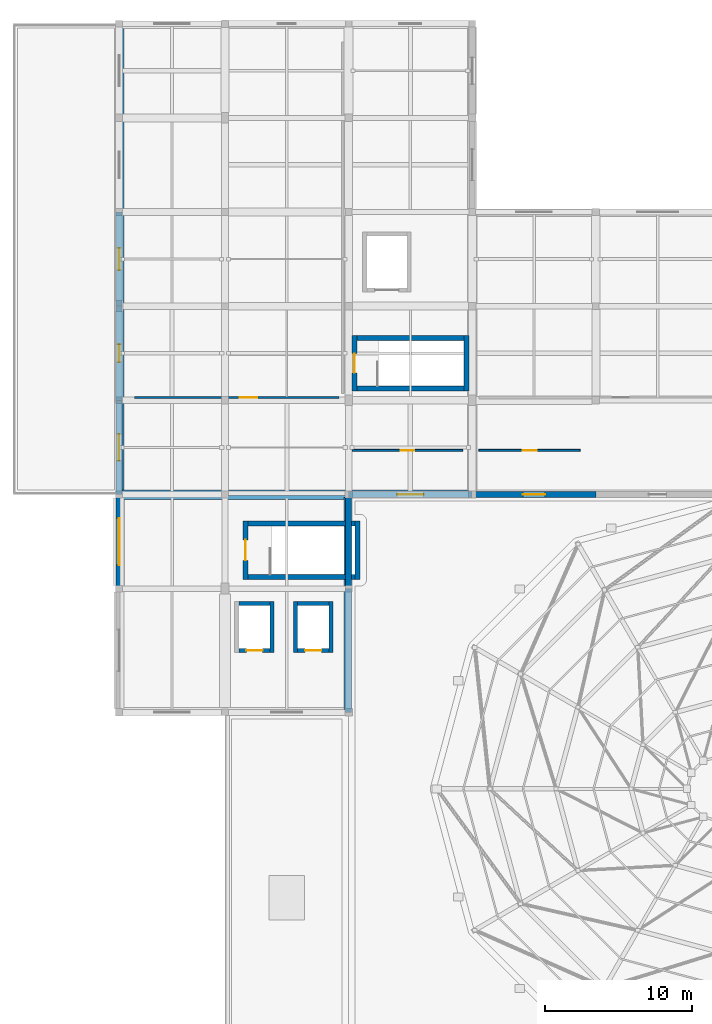
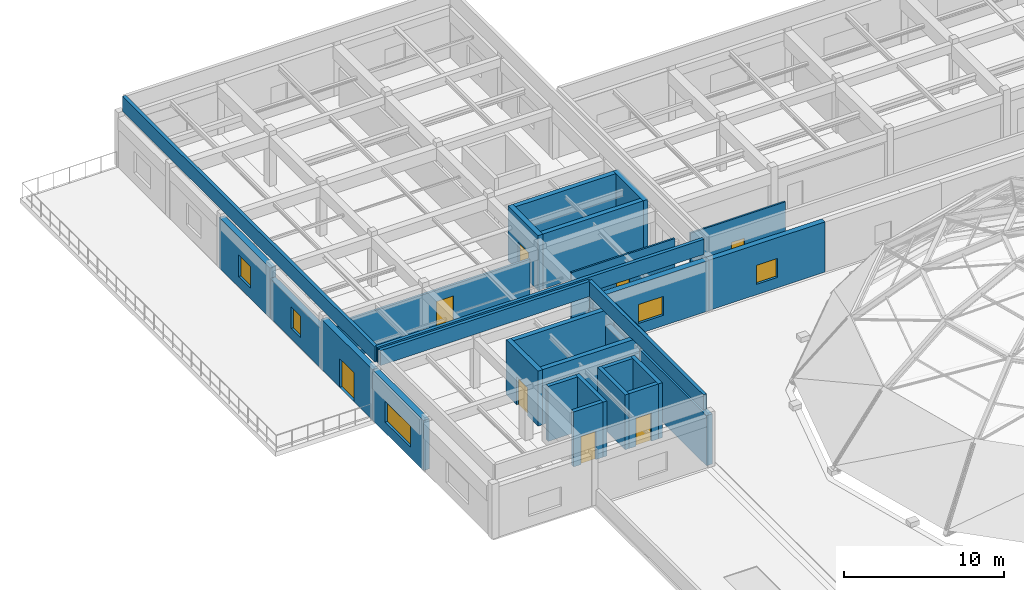
# One storey, part 11 of 18: 30 walls, 8 doors, 5 windows, 13 openings.
"""IFC4 building model written with IfcOpenShell, lengths in metres."""

from ifc_helpers import new_model, si_unit, direction, frame, frame_2d, origin, place, context, subcontext, project, spatial, rectangle, extrude, material, layer, layer_set, type_object, element, fill, save


model = new_model("IFC4")

# Units and contexts
model_context = context("Model", 3, precision=1e-05, world=origin(), true_north=direction((0.0, 1.0)))
body_context = subcontext(model_context, "Body", "Model", "MODEL_VIEW")
ifc_project = project(units=[si_unit("LENGTHUNIT", "METRE"), si_unit("AREAUNIT", "SQUARE_METRE"), si_unit("VOLUMEUNIT", "CUBIC_METRE"), si_unit("PLANEANGLEUNIT", "RADIAN"), si_unit("MASSUNIT", "GRAM", prefix="KILO")], contexts=[model_context])

# Site, building, storey
site_placement = place(None, origin())
site = spatial("IfcSite", under=ifc_project, at=site_placement, CompositionType="ELEMENT")
building_placement = place(site_placement, origin())
building = spatial("IfcBuilding", under=site, at=building_placement, Name="Korsvaeld Concert Hall", CompositionType="ELEMENT")
storey_placement = place(building_placement, frame((0.0, 0.0, 17.39990234375)))
storey = spatial("IfcBuildingStorey", under=building, at=storey_placement, Name="L04", CompositionType="ELEMENT", Elevation=17.39990234375)

# Walls
ifc_material_1 = material(Name="Concrete C40/50", Category="concrete")
ifc_layer_1 = layer(ifc_material_1, 0.340087890625)
ifc_layer_set_1 = layer_set([ifc_layer_1], Name="Concrete C40/50")
wall_type_1 = type_object("IfcWallType", Name="WL-CORE-340", PredefinedType="SHEAR", material=ifc_layer_set_1)
wall_1_placement = place(storey_placement, frame((51.969970703125, 77.60009765625, 0.0), z_axis=(0.0, 0.0, 1.0), x_axis=(1.0, 0.0, 0.0)))
element("IfcWall", 1, at=wall_1_placement, inside=storey, type_object=wall_type_1, Name="Core K1 shear wall L04 S", PredefinedType="SHEAR", context=body_context, shape_type="SweptSolid", body=[
    extrude(rectangle(XDim=7.260009765625, YDim=0.340087890625, at=frame_2d((3.6298828125, 0.0))), origin(), (0.0, 0.0, 1.0), 4.2001953125),
])
wall_2_placement = place(storey_placement, frame((59.39990234375, 77.429931640625, 0.0), z_axis=(0.0, 0.0, 1.0), x_axis=(0.0, 1.0, 0.0)))
element("IfcWall", 2, at=wall_2_placement, inside=storey, type_object=wall_type_1, Name="Core K1 shear wall L04 E", PredefinedType="SHEAR", context=body_context, shape_type="SweptSolid", body=[
    extrude(rectangle(XDim=3.97998046875, YDim=0.340087890625, at=frame_2d((1.989990234375, 0.0))), origin(), (0.0, 0.0, 1.0), 4.2001953125),
])
wall_3_placement = place(storey_placement, frame((59.22998046875, 81.239990234375, 0.0), z_axis=(0.0, 0.0, 1.0), x_axis=(-1.0, 0.0, 0.0)))
element("IfcWall", 3, at=wall_3_placement, inside=storey, type_object=wall_type_1, Name="Core K1 shear wall L04 N", PredefinedType="SHEAR", context=body_context, shape_type="SweptSolid", body=[
    extrude(rectangle(XDim=7.260009765625, YDim=0.340087890625, at=frame_2d((3.6298828125, 0.0))), origin(), (0.0, 0.0, 1.0), 4.2001953125),
])

# Wall, opening, door
wall_4_placement = place(storey_placement, frame((51.800048828125, 81.409912109375, 0.0), z_axis=(0.0, 0.0, 1.0), x_axis=(0.0, -1.0, 0.0)))
wall_4 = element("IfcWall", 4, at=wall_4_placement, inside=storey, type_object=wall_type_1, Name="Core K1 shear wall L04 W", PredefinedType="SHEAR", context=body_context, shape_type="SweptSolid", body=[
    extrude(rectangle(XDim=3.97998046875, YDim=0.340087890625, at=frame_2d((1.989990234375, 0.0))), origin(), (0.0, 0.0, 1.0), 4.2001953125),
])
opening_1_placement = place(wall_4_placement, frame((1.2900390625, 0.0, 0.0)))
opening_1 = element("IfcOpeningElement", 5, at=opening_1_placement, cuts=wall_4, Name="Opening FD-02", PredefinedType="OPENING", context=body_context, shape_type="SweptSolid", body=[
    extrude(rectangle(XDim=1.39990234375, YDim=2.14990234375, at=frame_2d((0.699951171875, 1.074951171875))), frame((0.0, 0.18017578125, 0.0), z_axis=(0.0, -1.0, 0.0), x_axis=(1.0, 0.0, 0.0)), (0.0, 0.0, 1.0), 0.360107421875),
])
ifc_material_2 = material(Name="Acoustic steel and oak fire door", Category="steel")
door_type_1 = type_object("IfcDoorType", Name="DR-FD-STAIR-140x215", OperationType="NOTDEFINED", PredefinedType="DOOR", material=ifc_material_2)
door_1_placement = place(opening_1_placement, origin())
door_1 = element("IfcDoor", 6, at=door_1_placement, inside=storey, type_object=door_type_1, Name="Escape stair ST-K1 fire door L04", OperationType="SINGLE_SWING_RIGHT", OverallHeight=2.14990234375, OverallWidth=1.39990234375, PredefinedType="DOOR", context=body_context, shape_type="SweptSolid", body=[
    extrude(rectangle(XDim=1.39990234375, YDim=2.14990234375, at=frame_2d((0.699951171875, 1.074951171875))), frame((0.0, 0.02490234375, 0.0), z_axis=(0.0, -1.0, 0.0), x_axis=(1.0, 0.0, 0.0)), (0.0, 0.0, 1.0), 0.050048828125),
])
fill(opening_1, door_1)

# Walls
wall_5_placement = place(storey_placement, frame((59.3701171875, 90.39990234375, 0.0), z_axis=(0.0, 0.0, 1.0), x_axis=(1.0, 0.0, 0.0)))
element("IfcWall", 7, at=wall_5_placement, inside=storey, type_object=wall_type_1, Name="Core K5 shear wall L04 S", PredefinedType="SHEAR", context=body_context, shape_type="SweptSolid", body=[
    extrude(rectangle(XDim=7.259765625, YDim=0.340087890625, at=frame_2d((3.6298828125, 0.0))), origin(), (0.0, 0.0, 1.0), 4.2001953125),
])
wall_6_placement = place(storey_placement, frame((66.800048828125, 90.22998046875, 0.0), z_axis=(0.0, 0.0, 1.0), x_axis=(0.0, 1.0, 0.0)))
element("IfcWall", 8, at=wall_6_placement, inside=storey, type_object=wall_type_1, Name="Core K5 shear wall L04 E", PredefinedType="SHEAR", context=body_context, shape_type="SweptSolid", body=[
    extrude(rectangle(XDim=3.780029296875, YDim=0.340087890625, at=frame_2d((1.89013671875, 0.0))), origin(), (0.0, 0.0, 1.0), 4.2001953125),
])
wall_7_placement = place(storey_placement, frame((66.6298828125, 93.840087890625, 0.0), z_axis=(0.0, 0.0, 1.0), x_axis=(-1.0, 0.0, 0.0)))
element("IfcWall", 9, at=wall_7_placement, inside=storey, type_object=wall_type_1, Name="Core K5 shear wall L04 N", PredefinedType="SHEAR", context=body_context, shape_type="SweptSolid", body=[
    extrude(rectangle(XDim=7.259765625, YDim=0.340087890625, at=frame_2d((3.6298828125, 0.0))), origin(), (0.0, 0.0, 1.0), 4.2001953125),
])

# Wall, opening, door
wall_8_placement = place(storey_placement, frame((59.199951171875, 94.010009765625, 0.0), z_axis=(0.0, 0.0, 1.0), x_axis=(0.0, -1.0, 0.0)))
wall_8 = element("IfcWall", 10, at=wall_8_placement, inside=storey, type_object=wall_type_1, Name="Core K5 shear wall L04 W", PredefinedType="SHEAR", context=body_context, shape_type="SweptSolid", body=[
    extrude(rectangle(XDim=3.780029296875, YDim=0.340087890625, at=frame_2d((1.89013671875, 0.0))), origin(), (0.0, 0.0, 1.0), 4.2001953125),
])
opening_2_placement = place(wall_8_placement, frame((1.239990234375, 0.0, 0.0)))
opening_2 = element("IfcOpeningElement", 11, at=opening_2_placement, cuts=wall_8, Name="Opening FD-01", PredefinedType="OPENING", context=body_context, shape_type="SweptSolid", body=[
    extrude(rectangle(XDim=1.300048828125, YDim=2.14990234375, at=frame_2d((0.64990234375, 1.074951171875))), frame((0.0, 0.18017578125, 0.0), z_axis=(0.0, -1.0, 0.0), x_axis=(1.0, 0.0, 0.0)), (0.0, 0.0, 1.0), 0.360107421875),
])
door_type_2 = type_object("IfcDoorType", Name="DR-FD-STAIR-130x215", OperationType="NOTDEFINED", PredefinedType="DOOR", material=ifc_material_2)
door_2_placement = place(opening_2_placement, origin())
door_2 = element("IfcDoor", 12, at=door_2_placement, inside=storey, type_object=door_type_2, Name="Escape stair ST-K5 fire door L04", OperationType="SINGLE_SWING_RIGHT", OverallHeight=2.14990234375, OverallWidth=1.300048828125, PredefinedType="DOOR", context=body_context, shape_type="SweptSolid", body=[
    extrude(rectangle(XDim=1.300048828125, YDim=2.14990234375, at=frame_2d((0.64990234375, 1.074951171875))), frame((0.0, 0.02490234375, 0.0), z_axis=(0.0, -1.0, 0.0), x_axis=(1.0, 0.0, 0.0)), (0.0, 0.0, 1.0), 0.050048828125),
])
fill(opening_2, door_2)

# Wall, opening, window
ifc_material_3 = material(Name="Obernkirchener buff sandstone rainscreen on Concrete C35/45", Category="masonry")
ifc_layer_2 = layer(ifc_material_3, 0.389892578125)
ifc_layer_set_2 = layer_set([ifc_layer_2], Name="Obernkirchener buff sandstone rainscreen on Concrete C35/45")
wall_type_2 = type_object("IfcWallType", Name="WL-EXT-BUFF-390", PredefinedType="STANDARD", material=ifc_layer_set_2)
wall_9_placement = place(storey_placement, frame((43.199951171875, 89.60009765625, 0.0), z_axis=(0.0, 0.0, 1.0), x_axis=(0.0, 1.0, 0.0)))
wall_9 = element("IfcWall", 13, at=wall_9_placement, inside=storey, type_object=wall_type_2, Name="Exterior sandstone wall L04-334", PredefinedType="STANDARD", context=body_context, shape_type="SweptSolid", body=[
    extrude(rectangle(XDim=6.39990234375, YDim=0.389892578125, at=frame_2d((3.199951171875, 0.0))), origin(), (0.0, 0.0, 1.0), 3.0400390625),
])
opening_3_placement = place(wall_9_placement, frame((2.60009765625, 0.0, 0.800048828125)))
opening_3 = element("IfcOpeningElement", 14, at=opening_3_placement, cuts=wall_9, Name="Opening WN-01", PredefinedType="OPENING", context=body_context, shape_type="SweptSolid", body=[
    extrude(rectangle(XDim=1.199951171875, YDim=1.64990234375, at=frame_2d((0.60009765625, 0.824951171875))), frame((0.0, 0.205078125, 0.0), z_axis=(0.0, -1.0, 0.0), x_axis=(1.0, 0.0, 0.0)), (0.0, 0.0, 1.0), 0.409912109375),
])
ifc_material_4 = material(Name="Anodised bronze frame with acoustic triple glazing", Category="glass")
window_type_1 = type_object("IfcWindowType", Name="WIN-AC-120x165", PartitioningType="SINGLE_PANEL", PredefinedType="WINDOW", material=ifc_material_4)
window_1_placement = place(opening_3_placement, origin())
window_1 = element("IfcWindow", 15, at=window_1_placement, inside=storey, type_object=window_type_1, Name="Acoustic triple-glazed window L04-222", OverallHeight=1.64990234375, OverallWidth=1.199951171875, PartitioningType="SINGLE_PANEL", PredefinedType="WINDOW", context=body_context, shape_type="SweptSolid", body=[
    extrude(rectangle(XDim=1.199951171875, YDim=1.64990234375, at=frame_2d((0.60009765625, 0.824951171875))), frame((0.0, 0.030029296875, 0.0), z_axis=(0.0, -1.0, 0.0), x_axis=(1.0, 0.0, 0.0)), (0.0, 0.0, 1.0), 0.06005859375),
])
fill(opening_3, window_1)

wall_10_placement = place(storey_placement, frame((75.60009765625, 83.199951171875, 0.0), z_axis=(0.0, 0.0, 1.0), x_axis=(-1.0, 0.0, 0.0)))
wall_10 = element("IfcWall", 16, at=wall_10_placement, inside=storey, type_object=wall_type_2, Name="Exterior sandstone wall L04-368", PredefinedType="STANDARD", context=body_context, shape_type="SweptSolid", body=[
    extrude(rectangle(XDim=8.400146484375, YDim=0.389892578125, at=frame_2d((4.2001953125, 0.0))), origin(), (0.0, 0.0, 1.0), 3.840087890625),
])
opening_4_placement = place(wall_10_placement, frame((3.449951171875, 0.0, 0.800048828125)))
opening_4 = element("IfcOpeningElement", 17, at=opening_4_placement, cuts=wall_10, Name="Opening WN-07", PredefinedType="OPENING", context=body_context, shape_type="SweptSolid", body=[
    extrude(rectangle(XDim=1.5, YDim=1.449951171875, at=frame_2d((0.75, 0.72509765625))), frame((0.0, 0.205078125, 0.0), z_axis=(0.0, -1.0, 0.0), x_axis=(1.0, 0.0, 0.0)), (0.0, 0.0, 1.0), 0.409912109375),
])
window_type_2 = type_object("IfcWindowType", Name="WIN-AC-150x145", PartitioningType="SINGLE_PANEL", PredefinedType="WINDOW", material=ifc_material_4)
window_2_placement = place(opening_4_placement, origin())
window_2 = element("IfcWindow", 18, at=window_2_placement, inside=storey, type_object=window_type_2, Name="Acoustic triple-glazed window L04-254", OverallHeight=1.449951171875, OverallWidth=1.5, PartitioningType="SINGLE_PANEL", PredefinedType="WINDOW", context=body_context, shape_type="SweptSolid", body=[
    extrude(rectangle(XDim=1.5, YDim=1.449951171875, at=frame_2d((0.75, 0.72509765625))), frame((0.0, 0.030029296875, 0.0), z_axis=(0.0, -1.0, 0.0), x_axis=(1.0, 0.0, 0.0)), (0.0, 0.0, 1.0), 0.06005859375),
])
fill(opening_4, window_2)

# Wall
wall_11_placement = place(storey_placement, frame((58.800048828125, 83.199951171875, 0.0), z_axis=(0.0, 0.0, 1.0), x_axis=(0.0, -1.0, 0.0)))
element("IfcWall", 19, at=wall_11_placement, inside=storey, type_object=wall_type_2, Name="Exterior sandstone wall L04-370", PredefinedType="STANDARD", context=body_context, shape_type="SweptSolid", body=[
    extrude(rectangle(XDim=6.39990234375, YDim=0.389892578125, at=frame_2d((3.199951171875, 0.0))), origin(), (0.0, 0.0, 1.0), 3.0400390625),
])

# Wall, opening, door
ifc_material_5 = material(Name="Bornholm Nexo rose-red sandstone rainscreen on Concrete C35/45", Category="masonry")
ifc_layer_3 = layer(ifc_material_5, 0.419921875)
ifc_layer_set_3 = layer_set([ifc_layer_3], Name="Bornholm Nexo rose-red sandstone rainscreen on Concrete C35/45")
wall_type_3 = type_object("IfcWallType", Name="WL-EXT-NEXO-420", PredefinedType="STANDARD", material=ifc_layer_set_3)
wall_12_placement = place(storey_placement, frame((43.199951171875, 83.199951171875, 0.0), z_axis=(0.0, 0.0, 1.0), x_axis=(0.0, 1.0, 0.0)))
wall_12 = element("IfcWall", 20, at=wall_12_placement, inside=storey, type_object=wall_type_3, Name="Exterior sandstone wall L04-333", PredefinedType="STANDARD", context=body_context, shape_type="SweptSolid", body=[
    extrude(rectangle(XDim=6.400146484375, YDim=0.419921875, at=frame_2d((3.2001953125, 0.0))), origin(), (0.0, 0.0, 1.0), 3.840087890625),
])
opening_5_placement = place(wall_12_placement, frame((2.300048828125, 0.0, 0.0)))
opening_5 = element("IfcOpeningElement", 21, at=opening_5_placement, cuts=wall_12, Name="Opening TD-01", PredefinedType="OPENING", context=body_context, shape_type="SweptSolid", body=[
    extrude(rectangle(XDim=1.800048828125, YDim=2.199951171875, at=frame_2d((0.89990234375, 1.10009765625))), frame((0.0, 0.219970703125, 0.0), z_axis=(0.0, -1.0, 0.0), x_axis=(1.0, 0.0, 0.0)), (0.0, 0.0, 1.0), 0.43994140625),
])
ifc_material_6 = material(Name="Anodised bronze terrace door")
door_type_3 = type_object("IfcDoorType", Name="DR-TER-180x220", OperationType="DOUBLE_DOOR_SINGLE_SWING", PredefinedType="DOOR", material=ifc_material_6)
door_3_placement = place(opening_5_placement, frame((1.800048828125, 0.0, 0.0), z_axis=(0.0, 0.0, 1.0), x_axis=(-1.0, 0.0, 0.0)))
door_3 = element("IfcDoor", 22, at=door_3_placement, inside=storey, type_object=door_type_3, Name="Roof-garden terrace access door TER_L04_NW", OperationType="DOUBLE_DOOR_SINGLE_SWING", OverallHeight=2.199951171875, OverallWidth=1.800048828125, PredefinedType="DOOR", context=body_context, shape_type="SweptSolid", body=[
    extrude(rectangle(XDim=1.800048828125, YDim=2.199951171875, at=frame_2d((0.89990234375, 1.10009765625))), frame((0.0, 0.02490234375, 0.0), z_axis=(0.0, -1.0, 0.0), x_axis=(1.0, 0.0, 0.0)), (0.0, 0.0, 1.0), 0.050048828125),
])
fill(opening_5, door_3)

# Wall, opening, window
wall_13_placement = place(storey_placement, frame((43.199951171875, 96.0, 0.0), z_axis=(0.0, 0.0, 1.0), x_axis=(0.0, 1.0, 0.0)))
wall_13 = element("IfcWall", 23, at=wall_13_placement, inside=storey, type_object=wall_type_3, Name="Exterior sandstone wall L04-335", PredefinedType="STANDARD", context=body_context, shape_type="SweptSolid", body=[
    extrude(rectangle(XDim=6.39990234375, YDim=0.419921875, at=frame_2d((3.199951171875, 0.0))), origin(), (0.0, 0.0, 1.0), 3.840087890625),
])
opening_6_placement = place(wall_13_placement, frame((2.449951171875, 0.0, 0.800048828125)))
opening_6 = element("IfcOpeningElement", 24, at=opening_6_placement, cuts=wall_13, Name="Opening WN-02", PredefinedType="OPENING", context=body_context, shape_type="SweptSolid", body=[
    extrude(rectangle(XDim=1.5, YDim=1.64990234375, at=frame_2d((0.75, 0.824951171875))), frame((0.0, 0.219970703125, 0.0), z_axis=(0.0, -1.0, 0.0), x_axis=(1.0, 0.0, 0.0)), (0.0, 0.0, 1.0), 0.43994140625),
])
window_type_3 = type_object("IfcWindowType", Name="WIN-AC-150x165", PartitioningType="SINGLE_PANEL", PredefinedType="WINDOW", material=ifc_material_4)
window_3_placement = place(opening_6_placement, origin())
window_3 = element("IfcWindow", 25, at=window_3_placement, inside=storey, type_object=window_type_3, Name="Acoustic triple-glazed window L04-223", OverallHeight=1.64990234375, OverallWidth=1.5, PartitioningType="SINGLE_PANEL", PredefinedType="WINDOW", context=body_context, shape_type="SweptSolid", body=[
    extrude(rectangle(XDim=1.5, YDim=1.64990234375, at=frame_2d((0.75, 0.824951171875))), frame((0.0, 0.030029296875, 0.0), z_axis=(0.0, -1.0, 0.0), x_axis=(1.0, 0.0, 0.0)), (0.0, 0.0, 1.0), 0.06005859375),
])
fill(opening_6, window_3)

wall_14_placement = place(storey_placement, frame((67.199951171875, 83.199951171875, 0.0), z_axis=(0.0, 0.0, 1.0), x_axis=(-1.0, 0.0, 0.0)))
wall_14 = element("IfcWall", 26, at=wall_14_placement, inside=storey, type_object=wall_type_3, Name="Exterior sandstone wall L04-369", PredefinedType="STANDARD", context=body_context, shape_type="SweptSolid", body=[
    extrude(rectangle(XDim=8.39990234375, YDim=0.419921875, at=frame_2d((4.199951171875, 0.0))), origin(), (0.0, 0.0, 1.0), 3.840087890625),
])
opening_7_placement = place(wall_14_placement, frame((3.300048828125, 0.0, 0.800048828125)))
opening_7 = element("IfcOpeningElement", 27, at=opening_7_placement, cuts=wall_14, Name="Opening WN-08", PredefinedType="OPENING", context=body_context, shape_type="SweptSolid", body=[
    extrude(rectangle(XDim=1.800048828125, YDim=1.449951171875, at=frame_2d((0.89990234375, 0.72509765625))), frame((0.0, 0.219970703125, 0.0), z_axis=(0.0, -1.0, 0.0), x_axis=(1.0, 0.0, 0.0)), (0.0, 0.0, 1.0), 0.43994140625),
])
window_type_4 = type_object("IfcWindowType", Name="WIN-AC-180x145", PartitioningType="SINGLE_PANEL", PredefinedType="WINDOW", material=ifc_material_4)
window_4_placement = place(opening_7_placement, origin())
window_4 = element("IfcWindow", 28, at=window_4_placement, inside=storey, type_object=window_type_4, Name="Acoustic triple-glazed window L04-255", OverallHeight=1.449951171875, OverallWidth=1.800048828125, PartitioningType="SINGLE_PANEL", PredefinedType="WINDOW", context=body_context, shape_type="SweptSolid", body=[
    extrude(rectangle(XDim=1.800048828125, YDim=1.449951171875, at=frame_2d((0.89990234375, 0.72509765625))), frame((0.0, 0.030029296875, 0.0), z_axis=(0.0, -1.0, 0.0), x_axis=(1.0, 0.0, 0.0)), (0.0, 0.0, 1.0), 0.06005859375),
])
fill(opening_7, window_4)

# Wall
wall_15_placement = place(storey_placement, frame((58.800048828125, 76.800048828125, 0.0), z_axis=(0.0, 0.0, 1.0), x_axis=(0.0, -1.0, 0.0)))
element("IfcWall", 29, at=wall_15_placement, inside=storey, type_object=wall_type_3, Name="Exterior sandstone wall L04-371", PredefinedType="STANDARD", context=body_context, shape_type="SweptSolid", body=[
    extrude(rectangle(XDim=8.400146484375, YDim=0.419921875, at=frame_2d((4.2001953125, 0.0))), origin(), (0.0, 0.0, 1.0), 3.840087890625),
])

# Wall, opening, window
wall_16_placement = place(storey_placement, frame((43.199951171875, 76.800048828125, 0.0), z_axis=(0.0, 0.0, 1.0), x_axis=(0.0, 1.0, 0.0)))
wall_16 = element("IfcWall", 30, at=wall_16_placement, inside=storey, type_object=wall_type_3, Name="Exterior sandstone wall L04-375", PredefinedType="STANDARD", context=body_context, shape_type="SweptSolid", body=[
    extrude(rectangle(XDim=6.39990234375, YDim=0.419921875, at=frame_2d((3.199951171875, 0.0))), origin(), (0.0, 0.0, 1.0), 3.840087890625),
])
opening_8_placement = place(wall_16_placement, frame((1.60009765625, 0.0, 0.800048828125)))
opening_8 = element("IfcOpeningElement", 31, at=opening_8_placement, cuts=wall_16, Name="Opening WN-15", PredefinedType="OPENING", context=body_context, shape_type="SweptSolid", body=[
    extrude(rectangle(XDim=3.199951171875, YDim=1.60009765625, at=frame_2d((1.60009765625, 0.800048828125))), frame((0.0, 0.219970703125, 0.0), z_axis=(0.0, -1.0, 0.0), x_axis=(1.0, 0.0, 0.0)), (0.0, 0.0, 1.0), 0.43994140625),
])
window_type_5 = type_object("IfcWindowType", Name="WIN-AC-320x160", PartitioningType="TRIPLE_PANEL_VERTICAL", PredefinedType="WINDOW", material=ifc_material_4)
window_5_placement = place(opening_8_placement, origin())
window_5 = element("IfcWindow", 32, at=window_5_placement, inside=storey, type_object=window_type_5, Name="Acoustic triple-glazed window L04-259", OverallHeight=1.60009765625, OverallWidth=3.199951171875, PartitioningType="TRIPLE_PANEL_VERTICAL", PredefinedType="WINDOW", context=body_context, shape_type="SweptSolid", body=[
    extrude(rectangle(XDim=3.199951171875, YDim=1.60009765625, at=frame_2d((1.60009765625, 0.800048828125))), frame((0.0, 0.030029296875, 0.0), z_axis=(0.0, -1.0, 0.0), x_axis=(1.0, 0.0, 0.0)), (0.0, 0.0, 1.0), 0.06005859375),
])
fill(opening_8, window_5)

# Walls
ifc_material_7 = material(Name="Bornholm Nexo sandstone parapet on Concrete C35/45", Category="masonry")
ifc_layer_4 = layer(ifc_material_7, 0.239990234375)
ifc_layer_set_4 = layer_set([ifc_layer_4], Name="Bornholm Nexo sandstone parapet on Concrete C35/45")
wall_type_4 = type_object("IfcWallType", Name="WL-PARAPET-240", PredefinedType="PARAPET", material=ifc_layer_set_4)
wall_17_placement = place(storey_placement, frame((58.60009765625, 68.60009765625, 4.2001953125), z_axis=(0.0, 0.0, 1.0), x_axis=(0.0, 1.0, 0.0)))
element("IfcWall", 33, at=wall_17_placement, inside=storey, type_object=wall_type_4, Name="Roof parapet SLB-ROOF_TOP_K1-2", PredefinedType="PARAPET", context=body_context, shape_type="SweptSolid", body=[
    extrude(rectangle(XDim=14.39990234375, YDim=0.239990234375, at=frame_2d((7.199951171875, 0.0))), origin(), (0.0, 0.0, 1.0), 1.14990234375),
])
wall_18_placement = place(storey_placement, frame((58.60009765625, 83.0, 4.2001953125), z_axis=(0.0, 0.0, 1.0), x_axis=(-1.0, 0.0, 0.0)))
element("IfcWall", 34, at=wall_18_placement, inside=storey, type_object=wall_type_4, Name="Roof parapet SLB-ROOF_TOP_K1-3", PredefinedType="PARAPET", context=body_context, shape_type="SweptSolid", body=[
    extrude(rectangle(XDim=15.2001953125, YDim=0.239990234375, at=frame_2d((7.60009765625, 0.0))), origin(), (0.0, 0.0, 1.0), 1.14990234375),
])
wall_19_placement = place(storey_placement, frame((43.39990234375, 83.39990234375, 4.2001953125), z_axis=(0.0, 0.0, 1.0), x_axis=(1.0, 0.0, 0.0)))
element("IfcWall", 35, at=wall_19_placement, inside=storey, type_object=wall_type_4, Name="Roof parapet SLB-ROOF_TOP_V5W-1", PredefinedType="PARAPET", context=body_context, shape_type="SweptSolid", body=[
    extrude(rectangle(XDim=23.60009765625, YDim=0.239990234375, at=frame_2d((11.800048828125, 0.0))), origin(), (0.0, 0.0, 1.0), 1.14990234375),
])
wall_20_placement = place(storey_placement, frame((43.39990234375, 115.0, 4.2001953125), z_axis=(0.0, 0.0, 1.0), x_axis=(0.0, -1.0, 0.0)))
element("IfcWall", 36, at=wall_20_placement, inside=storey, type_object=wall_type_4, Name="Roof parapet SLB-ROOF_TOP_V5W-4", PredefinedType="PARAPET", context=body_context, shape_type="SweptSolid", body=[
    extrude(rectangle(XDim=31.60009765625, YDim=0.239990234375, at=frame_2d((15.800048828125, 0.0))), origin(), (0.0, 0.0, 1.0), 1.14990234375),
])

# Wall, opening, door
ifc_material_8 = material(Name="Insulated acoustic gypsum partition")
ifc_layer_5 = layer(ifc_material_8, 0.125)
ifc_layer_set_5 = layer_set([ifc_layer_5], Name="Insulated acoustic gypsum partition")
wall_type_5 = type_object("IfcWallType", Name="WL-PART-125", PredefinedType="PARTITIONING", material=ifc_layer_set_5)
wall_21_placement = place(storey_placement, frame((66.5400390625, 86.199951171875, 0.0), z_axis=(0.0, 0.0, 1.0), x_axis=(-1.0, 0.0, 0.0)))
wall_21 = element("IfcWall", 37, at=wall_21_placement, inside=storey, type_object=wall_type_5, Name="Interior partition L04-09 N", PredefinedType="PARTITIONING", context=body_context, shape_type="SweptSolid", body=[
    extrude(rectangle(XDim=7.47998046875, YDim=0.125, at=frame_2d((3.739990234375, 0.0))), origin(), (0.0, 0.0, 1.0), 3.840087890625),
])
opening_9_placement = place(wall_21_placement, frame((3.27001953125, 0.0, 0.0)))
opening_9 = element("IfcOpeningElement", 38, at=opening_9_placement, cuts=wall_21, Name="Opening ID-05", PredefinedType="OPENING", context=body_context, shape_type="SweptSolid", body=[
    extrude(rectangle(XDim=0.93994140625, YDim=2.10009765625, at=frame_2d((0.469970703125, 1.050048828125))), frame((0.0, 0.072509765625, 0.0), z_axis=(0.0, -1.0, 0.0), x_axis=(1.0, 0.0, 0.0)), (0.0, 0.0, 1.0), 0.14501953125),
])
ifc_material_9 = material(Name="Accessible washroom oak door")
door_type_4 = type_object("IfcDoorType", Name="DR-INT-WC-094x210", OperationType="NOTDEFINED", PredefinedType="DOOR", material=ifc_material_9)
door_4_placement = place(opening_9_placement, origin())
door_4 = element("IfcDoor", 39, at=door_4_placement, inside=storey, type_object=door_type_4, Name="Staff Male & Female WC L04 door L04-09", OperationType="SINGLE_SWING_RIGHT", OverallHeight=2.10009765625, OverallWidth=0.93994140625, PredefinedType="DOOR", context=body_context, shape_type="SweptSolid", body=[
    extrude(rectangle(XDim=0.93994140625, YDim=2.10009765625, at=frame_2d((0.469970703125, 1.050048828125))), frame((0.0, 0.02490234375, 0.0), z_axis=(0.0, -1.0, 0.0), x_axis=(1.0, 0.0, 0.0)), (0.0, 0.0, 1.0), 0.050048828125),
])
fill(opening_9, door_4)

wall_22_placement = place(storey_placement, frame((74.5400390625, 86.199951171875, 0.0), z_axis=(0.0, 0.0, 1.0), x_axis=(-1.0, 0.0, 0.0)))
wall_22 = element("IfcWall", 40, at=wall_22_placement, inside=storey, type_object=wall_type_5, Name="Interior partition L04-10 N", PredefinedType="PARTITIONING", context=body_context, shape_type="SweptSolid", body=[
    extrude(rectangle(XDim=6.880126953125, YDim=0.125, at=frame_2d((3.43994140625, 0.0))), origin(), (0.0, 0.0, 1.0), 3.840087890625),
])
opening_10_placement = place(wall_22_placement, frame((2.969970703125, 0.0, 0.0)))
opening_10 = element("IfcOpeningElement", 41, at=opening_10_placement, cuts=wall_22, Name="Opening ID-05", PredefinedType="OPENING", context=body_context, shape_type="SweptSolid", body=[
    extrude(rectangle(XDim=0.93994140625, YDim=2.10009765625, at=frame_2d((0.469970703125, 1.050048828125))), frame((0.0, 0.072509765625, 0.0), z_axis=(0.0, -1.0, 0.0), x_axis=(1.0, 0.0, 0.0)), (0.0, 0.0, 1.0), 0.14501953125),
])
door_5_placement = place(opening_10_placement, origin())
door_5 = element("IfcDoor", 42, at=door_5_placement, inside=storey, type_object=door_type_4, Name="Accessible WC L04 door L04-10", OperationType="SINGLE_SWING_LEFT", OverallHeight=2.10009765625, OverallWidth=0.93994140625, PredefinedType="DOOR", context=body_context, shape_type="SweptSolid", body=[
    extrude(rectangle(XDim=0.93994140625, YDim=2.10009765625, at=frame_2d((0.469970703125, 1.050048828125))), frame((0.0, 0.02490234375, 0.0), z_axis=(0.0, -1.0, 0.0), x_axis=(1.0, 0.0, 0.0)), (0.0, 0.0, 1.0), 0.050048828125),
])
fill(opening_10, door_5)

ifc_material_10 = material(Name="Double-stud acoustic rehearsal partition")
ifc_layer_6 = layer(ifc_material_10, 0.159912109375)
ifc_layer_set_6 = layer_set([ifc_layer_6], Name="Double-stud acoustic rehearsal partition")
wall_type_6 = type_object("IfcWallType", Name="WL-PART-160", PredefinedType="PARTITIONING", material=ifc_layer_set_6)
wall_23_placement = place(storey_placement, frame((44.260009765625, 89.800048828125, 0.0), z_axis=(0.0, 0.0, 1.0), x_axis=(1.0, 0.0, 0.0)))
wall_23 = element("IfcWall", 43, at=wall_23_placement, inside=storey, type_object=wall_type_6, Name="Interior partition L04-03 S", PredefinedType="PARTITIONING", context=body_context, shape_type="SweptSolid", body=[
    extrude(rectangle(XDim=13.8798828125, YDim=0.159912109375, at=frame_2d((6.93994140625, 0.0))), origin(), (0.0, 0.0, 1.0), 3.01513671875),
])
opening_11_placement = place(wall_23_placement, frame((7.139892578125, 0.0, 0.0)))
opening_11 = element("IfcOpeningElement", 44, at=opening_11_placement, cuts=wall_23, Name="Opening ID-01", PredefinedType="OPENING", context=body_context, shape_type="SweptSolid", body=[
    extrude(rectangle(XDim=1.199951171875, YDim=2.14990234375, at=frame_2d((0.60009765625, 1.074951171875))), frame((0.0, 0.08984375, 0.0), z_axis=(0.0, -1.0, 0.0), x_axis=(1.0, 0.0, 0.0)), (0.0, 0.0, 1.0), 0.179931640625),
])
ifc_material_11 = material(Name="Solid European oak acoustic studio door")
door_type_5 = type_object("IfcDoorType", Name="DR-INT-REH-120x215", OperationType="NOTDEFINED", PredefinedType="DOOR", material=ifc_material_11)
door_6_placement = place(opening_11_placement, origin())
door_6 = element("IfcDoor", 45, at=door_6_placement, inside=storey, type_object=door_type_5, Name="Symphonic Choral Rehearsal Salon door L04-03", OperationType="SINGLE_SWING_RIGHT", OverallHeight=2.14990234375, OverallWidth=1.199951171875, PredefinedType="DOOR", context=body_context, shape_type="SweptSolid", body=[
    extrude(rectangle(XDim=1.199951171875, YDim=2.14990234375, at=frame_2d((0.60009765625, 1.074951171875))), frame((0.0, 0.02490234375, 0.0), z_axis=(0.0, -1.0, 0.0), x_axis=(1.0, 0.0, 0.0)), (0.0, 0.0, 1.0), 0.050048828125),
])
fill(opening_11, door_6)

ifc_layer_7 = layer(ifc_material_1, 0.280029296875)
ifc_layer_set_7 = layer_set([ifc_layer_7], Name="Concrete C40/50")
wall_type_7 = type_object("IfcWallType", Name="WL-SHAFT-280", PredefinedType="SHEAR", material=ifc_layer_set_7)
wall_24_placement = place(storey_placement, frame((51.340087890625, 72.60009765625, 0.0), z_axis=(0.0, 0.0, 1.0), x_axis=(1.0, 0.0, 0.0)))
wall_24 = element("IfcWall", 46, at=wall_24_placement, inside=storey, type_object=wall_type_7, Name="Lift LP-01 shaft wall L04 S", PredefinedType="SHEAR", context=body_context, shape_type="SweptSolid", body=[
    extrude(rectangle(XDim=2.119873046875, YDim=0.280029296875, at=frame_2d((1.06005859375, 0.0))), origin(), (0.0, 0.0, 1.0), 4.2001953125),
])
opening_12_placement = place(wall_24_placement, frame((0.510009765625, 0.0, 0.0)))
opening_12 = element("IfcOpeningElement", 47, at=opening_12_placement, cuts=wall_24, Name="Opening LD-01", PredefinedType="OPENING", context=body_context, shape_type="SweptSolid", body=[
    extrude(rectangle(XDim=1.10009765625, YDim=2.14990234375, at=frame_2d((0.550048828125, 1.074951171875))), frame((0.0, 0.14990234375, 0.0), z_axis=(0.0, -1.0, 0.0), x_axis=(1.0, 0.0, 0.0)), (0.0, 0.0, 1.0), 0.300048828125),
])
ifc_material_12 = material(Name="Brushed bronze-stainless sliding lift landing door")
door_type_6 = type_object("IfcDoorType", Name="DR-LD-PASS-110x215", OperationType="NOTDEFINED", PredefinedType="DOOR", material=ifc_material_12)
door_7_placement = place(opening_12_placement, origin())
door_7 = element("IfcDoor", 48, at=door_7_placement, inside=storey, type_object=door_type_6, Name="Lift landing door LP-01 L04", OperationType="SLIDING_TO_LEFT", OverallHeight=2.14990234375, OverallWidth=1.10009765625, PredefinedType="DOOR", context=body_context, shape_type="SweptSolid", body=[
    extrude(rectangle(XDim=1.10009765625, YDim=2.14990234375, at=frame_2d((0.550048828125, 1.074951171875))), frame((0.0, 0.02490234375, 0.0), z_axis=(0.0, -1.0, 0.0), x_axis=(1.0, 0.0, 0.0)), (0.0, 0.0, 1.0), 0.050048828125),
])
fill(opening_12, door_7)

# Walls
wall_25_placement = place(storey_placement, frame((53.60009765625, 72.4599609375, 0.0), z_axis=(0.0, 0.0, 1.0), x_axis=(0.0, 1.0, 0.0)))
element("IfcWall", 49, at=wall_25_placement, inside=storey, type_object=wall_type_7, Name="Lift LP-01 shaft wall L04 E", PredefinedType="SHEAR", context=body_context, shape_type="SweptSolid", body=[
    extrude(rectangle(XDim=3.47998046875, YDim=0.280029296875, at=frame_2d((1.739990234375, 0.0))), origin(), (0.0, 0.0, 1.0), 4.2001953125),
])
wall_26_placement = place(storey_placement, frame((53.4599609375, 75.800048828125, 0.0), z_axis=(0.0, 0.0, 1.0), x_axis=(-1.0, 0.0, 0.0)))
element("IfcWall", 50, at=wall_26_placement, inside=storey, type_object=wall_type_7, Name="Lift LP-01 shaft wall L04 N", PredefinedType="SHEAR", context=body_context, shape_type="SweptSolid", body=[
    extrude(rectangle(XDim=2.119873046875, YDim=0.280029296875, at=frame_2d((1.06005859375, 0.0))), origin(), (0.0, 0.0, 1.0), 4.2001953125),
])

# Wall, opening, door
wall_27_placement = place(storey_placement, frame((55.340087890625, 72.60009765625, 0.0), z_axis=(0.0, 0.0, 1.0), x_axis=(1.0, 0.0, 0.0)))
wall_27 = element("IfcWall", 51, at=wall_27_placement, inside=storey, type_object=wall_type_7, Name="Lift LP-02 shaft wall L04 S", PredefinedType="SHEAR", context=body_context, shape_type="SweptSolid", body=[
    extrude(rectangle(XDim=2.119873046875, YDim=0.280029296875, at=frame_2d((1.06005859375, 0.0))), origin(), (0.0, 0.0, 1.0), 4.2001953125),
])
opening_13_placement = place(wall_27_placement, frame((0.510009765625, 0.0, 0.0)))
opening_13 = element("IfcOpeningElement", 52, at=opening_13_placement, cuts=wall_27, Name="Opening LD-01", PredefinedType="OPENING", context=body_context, shape_type="SweptSolid", body=[
    extrude(rectangle(XDim=1.10009765625, YDim=2.14990234375, at=frame_2d((0.550048828125, 1.074951171875))), frame((0.0, 0.14990234375, 0.0), z_axis=(0.0, -1.0, 0.0), x_axis=(1.0, 0.0, 0.0)), (0.0, 0.0, 1.0), 0.300048828125),
])
door_8_placement = place(opening_13_placement, origin())
door_8 = element("IfcDoor", 53, at=door_8_placement, inside=storey, type_object=door_type_6, Name="Lift landing door LP-02 L04", OperationType="SLIDING_TO_RIGHT", OverallHeight=2.14990234375, OverallWidth=1.10009765625, PredefinedType="DOOR", context=body_context, shape_type="SweptSolid", body=[
    extrude(rectangle(XDim=1.10009765625, YDim=2.14990234375, at=frame_2d((0.550048828125, 1.074951171875))), frame((0.0, 0.02490234375, 0.0), z_axis=(0.0, -1.0, 0.0), x_axis=(1.0, 0.0, 0.0)), (0.0, 0.0, 1.0), 0.050048828125),
])
fill(opening_13, door_8)

# Walls
wall_28_placement = place(storey_placement, frame((57.60009765625, 72.4599609375, 0.0), z_axis=(0.0, 0.0, 1.0), x_axis=(0.0, 1.0, 0.0)))
element("IfcWall", 54, at=wall_28_placement, inside=storey, type_object=wall_type_7, Name="Lift LP-02 shaft wall L04 E", PredefinedType="SHEAR", context=body_context, shape_type="SweptSolid", body=[
    extrude(rectangle(XDim=3.47998046875, YDim=0.280029296875, at=frame_2d((1.739990234375, 0.0))), origin(), (0.0, 0.0, 1.0), 4.2001953125),
])
wall_29_placement = place(storey_placement, frame((57.4599609375, 75.800048828125, 0.0), z_axis=(0.0, 0.0, 1.0), x_axis=(-1.0, 0.0, 0.0)))
element("IfcWall", 55, at=wall_29_placement, inside=storey, type_object=wall_type_7, Name="Lift LP-02 shaft wall L04 N", PredefinedType="SHEAR", context=body_context, shape_type="SweptSolid", body=[
    extrude(rectangle(XDim=2.119873046875, YDim=0.280029296875, at=frame_2d((1.06005859375, 0.0))), origin(), (0.0, 0.0, 1.0), 4.2001953125),
])
wall_30_placement = place(storey_placement, frame((55.199951171875, 75.93994140625, 0.0), z_axis=(0.0, 0.0, 1.0), x_axis=(0.0, -1.0, 0.0)))
element("IfcWall", 56, at=wall_30_placement, inside=storey, type_object=wall_type_7, Name="Lift LP-02 shaft wall L04 W", PredefinedType="SHEAR", context=body_context, shape_type="SweptSolid", body=[
    extrude(rectangle(XDim=3.47998046875, YDim=0.280029296875, at=frame_2d((1.739990234375, 0.0))), origin(), (0.0, 0.0, 1.0), 4.2001953125),
])

save(model, "model.ifc")
